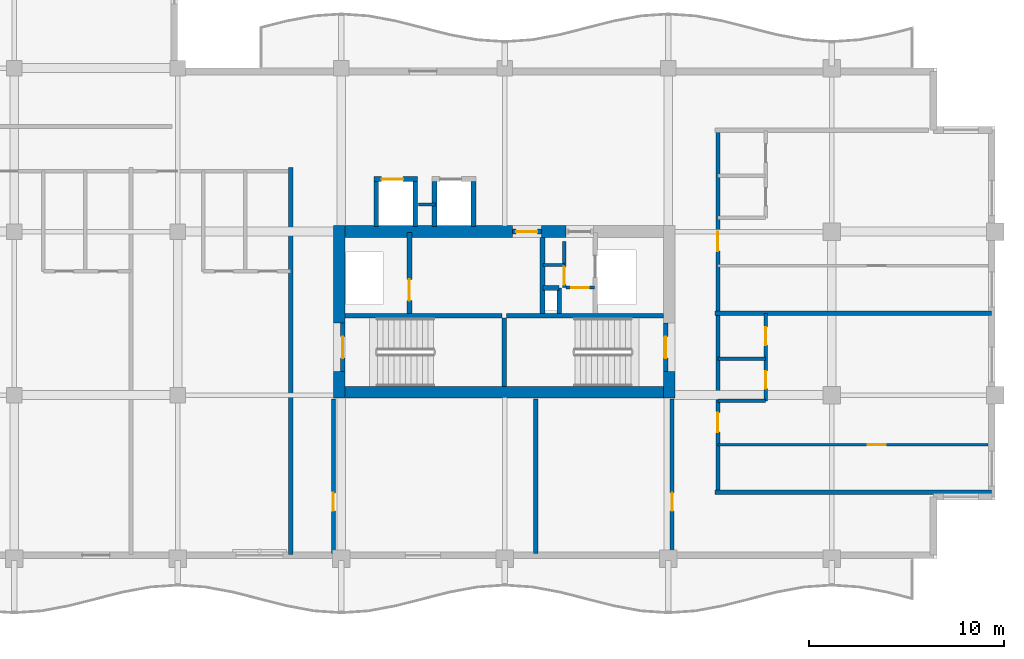
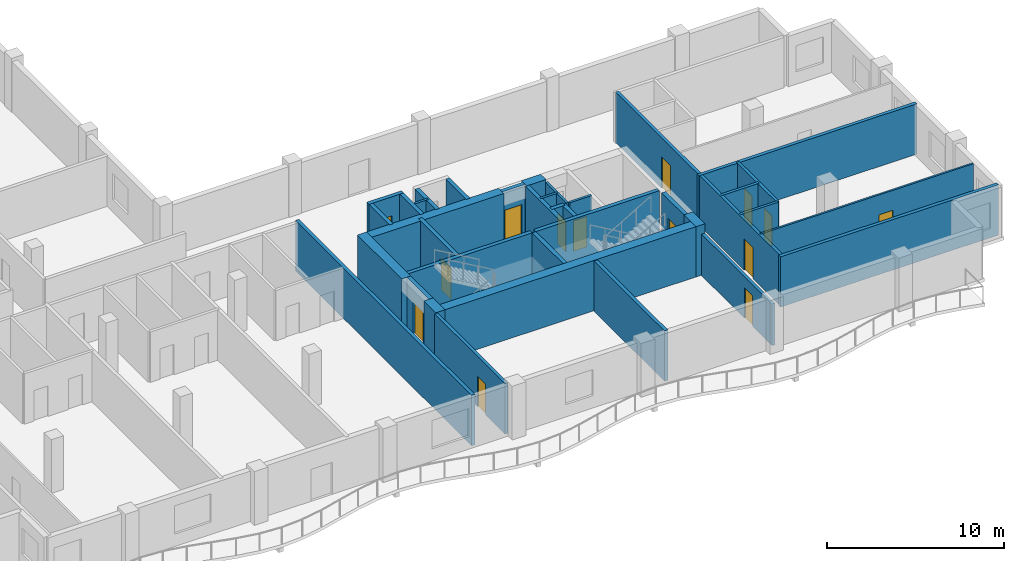
# One storey, part 7 of 16: 36 walls, 14 doors, 14 openings.
"""IFC4 building model written with IfcOpenShell, lengths in metres."""

from ifc_helpers import new_model, si_unit, direction, frame, frame_2d, origin, place, context, subcontext, project, spatial, rectangle, extrude, material, layer, layer_set, type_object, element, fill, save


model = new_model("IFC4")

# Units and contexts
model_context = context("Model", 3, precision=1e-05, world=origin(), true_north=direction((0.0, 1.0)))
body_context = subcontext(model_context, "Body", "Model", "MODEL_VIEW")
ifc_project = project(units=[si_unit("LENGTHUNIT", "METRE"), si_unit("AREAUNIT", "SQUARE_METRE"), si_unit("VOLUMEUNIT", "CUBIC_METRE"), si_unit("PLANEANGLEUNIT", "RADIAN"), si_unit("MASSUNIT", "GRAM", prefix="KILO")], contexts=[model_context])

# Site, building, storey
site_placement = place(None, origin())
site = spatial("IfcSite", under=ifc_project, at=site_placement, CompositionType="ELEMENT")
building_placement = place(site_placement, origin())
building = spatial("IfcBuilding", under=site, at=building_placement, Name="Koriwani Terraces Tower", CompositionType="ELEMENT")
storey_placement = place(building_placement, frame((0.0, 0.0, 252.699951171875)))
storey = spatial("IfcBuildingStorey", under=building, at=storey_placement, Name="L62", CompositionType="ELEMENT", Elevation=252.699951171875)

# Walls
ifc_material_1 = material(Name="Concrete C60/75", Category="concrete")
ifc_layer_1 = layer(ifc_material_1, 0.60009765625, Name="Concrete C60/75")
ifc_layer_set_1 = layer_set([ifc_layer_1], Name="Concrete C60/75")
wall_type_1 = type_object("IfcWallType", Name="WALL_CORE_RC_600", PredefinedType="SHEAR", material=ifc_layer_set_1)
wall_1_placement = place(storey_placement, frame((41.89990234375, 16.64990234375, 0.0), z_axis=(0.0, 0.0, 1.0), x_axis=(0.0, 1.0, 0.0)))
element("IfcWall", 1, at=wall_1_placement, inside=storey, type_object=wall_type_1, Name="L62 East Split Core Shear Wall W1", PredefinedType="SHEAR", context=body_context, shape_type="SweptSolid", body=[
    extrude(rectangle(XDim=1.35009765625, YDim=0.60009765625, at=frame_2d((0.675048828125, 0.0))), origin(), (0.0, 0.0, 1.0), 3.469970703125),
])
wall_2_placement = place(storey_placement, frame((41.89990234375, 20.5, 0.0), z_axis=(0.0, 0.0, 1.0), x_axis=(0.0, 1.0, 0.0)))
element("IfcWall", 2, at=wall_2_placement, inside=storey, type_object=wall_type_1, Name="L62 East Split Core Shear Wall W2", PredefinedType="SHEAR", context=body_context, shape_type="SweptSolid", body=[
    extrude(rectangle(XDim=5.0, YDim=0.60009765625, at=frame_2d((2.5, 0.0))), origin(), (0.0, 0.0, 1.0), 3.469970703125),
])
wall_3_placement = place(storey_placement, frame((58.85009765625, 16.64990234375, 0.0), z_axis=(0.0, 0.0, 1.0), x_axis=(0.0, 1.0, 0.0)))
element("IfcWall", 3, at=wall_3_placement, inside=storey, type_object=wall_type_1, Name="L62 East Split Core Shear Wall E1", PredefinedType="SHEAR", context=body_context, shape_type="SweptSolid", body=[
    extrude(rectangle(XDim=1.35009765625, YDim=0.60009765625, at=frame_2d((0.675048828125, 0.0))), origin(), (0.0, 0.0, 1.0), 3.469970703125),
])
wall_4_placement = place(storey_placement, frame((42.199951171875, 16.949951171875, 0.0), z_axis=(0.0, 0.0, 1.0), x_axis=(1.0, 0.0, 0.0)))
element("IfcWall", 4, at=wall_4_placement, inside=storey, type_object=wall_type_1, Name="L62 East Split Core Shear Wall S1", PredefinedType="SHEAR", context=body_context, shape_type="SweptSolid", body=[
    extrude(rectangle(XDim=16.35009765625, YDim=0.60009765625, at=frame_2d((8.175048828125, 0.0))), origin(), (0.0, 0.0, 1.0), 3.469970703125),
])
wall_5_placement = place(storey_placement, frame((42.199951171875, 25.199951171875, 0.0), z_axis=(0.0, 0.0, 1.0), x_axis=(1.0, 0.0, 0.0)))
element("IfcWall", 5, at=wall_5_placement, inside=storey, type_object=wall_type_1, Name="L62 East Split Core Shear Wall N1", PredefinedType="SHEAR", context=body_context, shape_type="SweptSolid", body=[
    extrude(rectangle(XDim=8.60009765625, YDim=0.60009765625, at=frame_2d((4.300048828125, 0.0))), origin(), (0.0, 0.0, 1.0), 3.469970703125),
])
wall_6_placement = place(storey_placement, frame((52.280029296875, 25.199951171875, 0.0), z_axis=(0.0, 0.0, 1.0), x_axis=(1.0, 0.0, 0.0)))
element("IfcWall", 6, at=wall_6_placement, inside=storey, type_object=wall_type_1, Name="L62 East Split Core Shear Wall N2", PredefinedType="SHEAR", context=body_context, shape_type="SweptSolid", body=[
    extrude(rectangle(XDim=1.27001953125, YDim=0.60009765625, at=frame_2d((0.635009765625, 0.0))), origin(), (0.0, 0.0, 1.0), 3.469970703125),
])

# Wall, opening, door
ifc_material_2 = material(Name="Autoclaved Cellular Concrete Blockwork", Category="masonry")
ifc_layer_2 = layer(ifc_material_2, 0.199951171875, Name="Autoclaved Cellular Concrete Blockwork")
ifc_layer_set_2 = layer_set([ifc_layer_2], Name="Autoclaved Cellular Concrete Blockwork")
wall_type_2 = type_object("IfcWallType", Name="WALL_CORRIDOR_200", PredefinedType="PARTITIONING", material=ifc_layer_set_2)
wall_7_placement = place(storey_placement, frame((41.60009765625, 8.64990234375, 0.0), z_axis=(0.0, 0.0, 1.0), x_axis=(0.0, 1.0, 0.0)))
wall_7 = element("IfcWall", 7, at=wall_7_placement, inside=storey, type_object=wall_type_2, Name="L62 Interior Wall WRZ4-EW-L62", PredefinedType="PARTITIONING", context=body_context, shape_type="SweptSolid", body=[
    extrude(rectangle(XDim=7.9501953125, YDim=0.199951171875, at=frame_2d((3.97509765625, 0.0))), origin(), (0.0, 0.0, 1.0), 3.469970703125),
])
opening_1_placement = place(wall_7_placement, frame((2.199951171875, 0.0, 0.0)))
opening_1 = element("IfcOpeningElement", 8, at=opening_1_placement, cuts=wall_7, Name="Opening D-06", PredefinedType="OPENING", context=body_context, shape_type="SweptSolid", body=[
    extrude(rectangle(XDim=0.919921875, YDim=2.10009765625, at=frame_2d((0.4599609375, 1.050048828125))), frame((0.0, 0.10986328125, 0.0), z_axis=(0.0, -1.0, 0.0), x_axis=(1.0, 0.0, 0.0)), (0.0, 0.0, 1.0), 0.219970703125),
])
ifc_material_3 = material(Name="Architectural Oak Fire Door", Category="wood")
door_type_1 = type_object("IfcDoorType", Name="DOOR_ROOM_INT_920X2100", OperationType="NOTDEFINED", PredefinedType="DOOR", material=ifc_material_3)
door_1_placement = place(opening_1_placement, origin())
door_1 = element("IfcDoor", 9, at=door_1_placement, inside=storey, type_object=door_type_1, Name="L62 Resident Library Study Door", OperationType="SINGLE_SWING_LEFT", OverallHeight=2.10009765625, OverallWidth=0.919921875, PredefinedType="DOOR", context=body_context, shape_type="SweptSolid", body=[
    extrude(rectangle(XDim=0.919921875, YDim=2.10009765625, at=frame_2d((0.4599609375, 1.050048828125))), frame((0.0, 0.02490234375, 0.0), z_axis=(0.0, -1.0, 0.0), x_axis=(1.0, 0.0, 0.0)), (0.0, 0.0, 1.0), 0.050048828125),
])
fill(opening_1, door_1)

wall_8_placement = place(storey_placement, frame((59.0, 8.64990234375, 0.0), z_axis=(0.0, 0.0, 1.0), x_axis=(0.0, 1.0, 0.0)))
wall_8 = element("IfcWall", 10, at=wall_8_placement, inside=storey, type_object=wall_type_2, Name="L62 Interior Wall WRZ4-EE-L62", PredefinedType="PARTITIONING", context=body_context, shape_type="SweptSolid", body=[
    extrude(rectangle(XDim=7.9501953125, YDim=0.199951171875, at=frame_2d((3.97509765625, 0.0))), origin(), (0.0, 0.0, 1.0), 2.859130859375),
])
opening_2_placement = place(wall_8_placement, frame((2.199951171875, 0.0, 0.0)))
opening_2 = element("IfcOpeningElement", 11, at=opening_2_placement, cuts=wall_8, Name="Opening D-06", PredefinedType="OPENING", context=body_context, shape_type="SweptSolid", body=[
    extrude(rectangle(XDim=0.919921875, YDim=2.10009765625, at=frame_2d((0.4599609375, 1.050048828125))), frame((0.0, 0.10986328125, 0.0), z_axis=(0.0, -1.0, 0.0), x_axis=(1.0, 0.0, 0.0)), (0.0, 0.0, 1.0), 0.219970703125),
])
door_2_placement = place(opening_2_placement, origin())
door_2 = element("IfcDoor", 12, at=door_2_placement, inside=storey, type_object=door_type_1, Name="L62 Resident Laundry Room Door", OperationType="SINGLE_SWING_RIGHT", OverallHeight=2.10009765625, OverallWidth=0.919921875, PredefinedType="DOOR", context=body_context, shape_type="SweptSolid", body=[
    extrude(rectangle(XDim=0.919921875, YDim=2.10009765625, at=frame_2d((0.4599609375, 1.050048828125))), frame((0.0, 0.02490234375, 0.0), z_axis=(0.0, -1.0, 0.0), x_axis=(1.0, 0.0, 0.0)), (0.0, 0.0, 1.0), 0.050048828125),
])
fill(opening_2, door_2)

# Wall, openings, doors
wall_9_placement = place(storey_placement, frame((61.35009765625, 11.800048828125, 0.0), z_axis=(0.0, 0.0, 1.0), x_axis=(0.0, 1.0, 0.0)))
wall_9 = element("IfcWall", 13, at=wall_9_placement, inside=storey, type_object=wall_type_2, Name="L62 Interior Wall WRCOR-L62-ETE-0", PredefinedType="PARTITIONING", context=body_context, shape_type="SweptSolid", body=[
    extrude(rectangle(XDim=18.599853515625, YDim=0.199951171875, at=frame_2d((9.2998046875, 0.0))), origin(), (0.0, 0.0, 1.0), 3.469970703125),
])
opening_3_placement = place(wall_9_placement, frame((3.094970703125, 0.0, 0.0)))
opening_3 = element("IfcOpeningElement", 14, at=opening_3_placement, cuts=wall_9, Name="Opening D-05", PredefinedType="OPENING", context=body_context, shape_type="SweptSolid", body=[
    extrude(rectangle(XDim=1.0, YDim=2.14990234375, at=frame_2d((0.5, 1.074951171875))), frame((0.0, 0.10986328125, 0.0), z_axis=(0.0, -1.0, 0.0), x_axis=(1.0, 0.0, 0.0)), (0.0, 0.0, 1.0), 0.219970703125),
])
opening_4_placement = place(wall_9_placement, frame((12.39501953125, 0.0, 0.0)))
opening_4 = element("IfcOpeningElement", 15, at=opening_4_placement, cuts=wall_9, Name="Opening D-05", PredefinedType="OPENING", context=body_context, shape_type="SweptSolid", body=[
    extrude(rectangle(XDim=1.0, YDim=2.14990234375, at=frame_2d((0.5, 1.074951171875))), frame((0.0, 0.10986328125, 0.0), z_axis=(0.0, -1.0, 0.0), x_axis=(1.0, 0.0, 0.0)), (0.0, 0.0, 1.0), 0.219970703125),
])
door_type_2 = type_object("IfcDoorType", Name="DOOR_SUITE_ENTRY_1000X2150", OperationType="NOTDEFINED", PredefinedType="DOOR", material=ifc_material_3)
door_3_placement = place(opening_3_placement, origin())
door_3 = element("IfcDoor", 16, at=door_3_placement, inside=storey, type_object=door_type_2, Name="Apartment 62ETE1 Entrance Door", OperationType="SINGLE_SWING_LEFT", OverallHeight=2.14990234375, OverallWidth=1.0, PredefinedType="DOOR", context=body_context, shape_type="SweptSolid", body=[
    extrude(rectangle(XDim=1.0, YDim=2.14990234375, at=frame_2d((0.5, 1.074951171875))), frame((0.0, 0.02490234375, 0.0), z_axis=(0.0, -1.0, 0.0), x_axis=(1.0, 0.0, 0.0)), (0.0, 0.0, 1.0), 0.050048828125),
])
fill(opening_3, door_3)
door_4_placement = place(opening_4_placement, origin())
door_4 = element("IfcDoor", 17, at=door_4_placement, inside=storey, type_object=door_type_2, Name="Apartment 62ETE2 Entrance Door", OperationType="SINGLE_SWING_LEFT", OverallHeight=2.14990234375, OverallWidth=1.0, PredefinedType="DOOR", context=body_context, shape_type="SweptSolid", body=[
    extrude(rectangle(XDim=1.0, YDim=2.14990234375, at=frame_2d((0.5, 1.074951171875))), frame((0.0, 0.02490234375, 0.0), z_axis=(0.0, -1.0, 0.0), x_axis=(1.0, 0.0, 0.0)), (0.0, 0.0, 1.0), 0.050048828125),
])
fill(opening_4, door_4)

# Walls
ifc_layer_3 = layer(ifc_material_2, 0.219970703125, Name="Autoclaved Cellular Concrete Blockwork")
ifc_layer_set_3 = layer_set([ifc_layer_3], Name="Autoclaved Cellular Concrete Blockwork")
wall_type_3 = type_object("IfcWallType", Name="WALL_DEMISING_220", PredefinedType="PARTITIONING", material=ifc_layer_set_3)
wall_10_placement = place(storey_placement, frame((52.0, 8.64990234375, 0.0), z_axis=(0.0, 0.0, 1.0), x_axis=(0.0, 1.0, 0.0)))
element("IfcWall", 18, at=wall_10_placement, inside=storey, type_object=wall_type_3, Name="L62 Interior Wall WRZ4-EM-L62", PredefinedType="PARTITIONING", context=body_context, shape_type="SweptSolid", body=[
    extrude(rectangle(XDim=7.9501953125, YDim=0.219970703125, at=frame_2d((3.97509765625, 0.0))), origin(), (0.0, 0.0, 1.0), 3.469970703125),
])
wall_11_placement = place(storey_placement, frame((39.39990234375, 8.60009765625, 0.0), z_axis=(0.0, 0.0, 1.0), x_axis=(0.0, 1.0, 0.0)))
element("IfcWall", 19, at=wall_11_placement, inside=storey, type_object=wall_type_3, Name="L62 Interior Wall WRDEME-L62-SW", PredefinedType="PARTITIONING", context=body_context, shape_type="SweptSolid", body=[
    extrude(rectangle(XDim=19.8798828125, YDim=0.219970703125, at=frame_2d((9.93994140625, 0.0))), origin(), (0.0, 0.0, 1.0), 3.469970703125),
])
for number, where, z_axis, x_axis, name in (
    (20, (61.199951171875, 11.800048828125, 0.0), (0.0, 0.0, 1.0), (1.0, 0.0, 0.0), "L62 Interior Wall WRDEM-L62-ETE-0"),
    (21, (61.199951171875, 21.0, 0.0), (0.0, 0.0, 1.0), (1.0, 0.0, 0.0), "L62 Interior Wall WRDEM-L62-ETE-1"),
):
    element("IfcWall", number, at=place(storey_placement, frame(where, z_axis=z_axis, x_axis=x_axis)), inside=storey, type_object=wall_type_3, Name=name, PredefinedType="PARTITIONING", context=body_context, shape_type="SweptSolid", body=[
        extrude(rectangle(XDim=14.199951171875, YDim=0.219970703125, at=frame_2d((7.10009765625, 0.0))), origin(), (0.0, 0.0, 1.0), 3.469970703125),
    ])

# Wall, opening, door
ifc_material_4 = material(Name="Fire-Rated Acoustic Gypsum Partition", Category="masonry")
ifc_layer_4 = layer(ifc_material_4, 0.125, Name="Fire-Rated Acoustic Gypsum Partition")
ifc_layer_set_4 = layer_set([ifc_layer_4], Name="Fire-Rated Acoustic Gypsum Partition")
wall_type_4 = type_object("IfcWallType", Name="WALL_INT_125", PredefinedType="PARTITIONING", material=ifc_layer_set_4)
wall_12_placement = place(storey_placement, frame((61.35009765625, 14.25, 0.0), z_axis=(0.0, 0.0, 1.0), x_axis=(1.0, 0.0, 0.0)))
wall_12 = element("IfcWall", 22, at=wall_12_placement, inside=storey, type_object=wall_type_4, Name="L62 Interior Wall WRBED1-L62-ETE-0", PredefinedType="PARTITIONING", context=body_context, shape_type="SweptSolid", body=[
    extrude(rectangle(XDim=13.869873046875, YDim=0.125, at=frame_2d((6.93505859375, 0.0))), origin(), (0.0, 0.0, 1.0), 3.469970703125),
])
opening_5_placement = place(wall_12_placement, frame((7.699951171875, 0.0, 0.0)))
opening_5 = element("IfcOpeningElement", 23, at=opening_5_placement, cuts=wall_12, Name="Opening D-06", PredefinedType="OPENING", context=body_context, shape_type="SweptSolid", body=[
    extrude(rectangle(XDim=0.919921875, YDim=2.10009765625, at=frame_2d((0.4599609375, 1.050048828125))), frame((0.0, 0.072509765625, 0.0), z_axis=(0.0, -1.0, 0.0), x_axis=(1.0, 0.0, 0.0)), (0.0, 0.0, 1.0), 0.14501953125),
])
door_5_placement = place(opening_5_placement, origin())
door_5 = element("IfcDoor", 24, at=door_5_placement, inside=storey, type_object=door_type_1, Name="Apartment 62ETE1 Master Bedroom Door", OperationType="SINGLE_SWING_RIGHT", OverallHeight=2.10009765625, OverallWidth=0.919921875, PredefinedType="DOOR", context=body_context, shape_type="SweptSolid", body=[
    extrude(rectangle(XDim=0.919921875, YDim=2.10009765625, at=frame_2d((0.4599609375, 1.050048828125))), frame((0.0, 0.02490234375, 0.0), z_axis=(0.0, -1.0, 0.0), x_axis=(1.0, 0.0, 0.0)), (0.0, 0.0, 1.0), 0.050048828125),
])
fill(opening_5, door_5)

# Wall, openings, doors
ifc_layer_5 = layer(ifc_material_4, 0.179931640625, Name="Fire-Rated Acoustic Gypsum Partition")
ifc_layer_set_5 = layer_set([ifc_layer_5], Name="Fire-Rated Acoustic Gypsum Partition")
wall_type_5 = type_object("IfcWallType", Name="WALL_PLUMBING_180", PredefinedType="PLUMBINGWALL", material=ifc_layer_set_5)
wall_13_placement = place(storey_placement, frame((63.800048828125, 16.5, 0.0), z_axis=(0.0, 0.0, 1.0), x_axis=(0.0, 1.0, 0.0)))
wall_13 = element("IfcWall", 25, at=wall_13_placement, inside=storey, type_object=wall_type_5, Name="L62 Interior Wall WRSVC-L62-ETE-0", PredefinedType="PLUMBINGWALL", context=body_context, shape_type="SweptSolid", body=[
    extrude(rectangle(XDim=4.5, YDim=0.179931640625, at=frame_2d((2.25, 0.0))), origin(), (0.0, 0.0, 1.0), 3.469970703125),
])
opening_6_placement = place(wall_13_placement, frame((0.6298828125, 0.0, 0.0)))
opening_6 = element("IfcOpeningElement", 26, at=opening_6_placement, cuts=wall_13, Name="Opening D-07", PredefinedType="OPENING", context=body_context, shape_type="SweptSolid", body=[
    extrude(rectangle(XDim=0.89990234375, YDim=2.10009765625, at=frame_2d((0.449951171875, 1.050048828125))), frame((0.0, 0.10009765625, 0.0), z_axis=(0.0, -1.0, 0.0), x_axis=(1.0, 0.0, 0.0)), (0.0, 0.0, 1.0), 0.199951171875),
])
opening_7_placement = place(wall_13_placement, frame((2.8701171875, 0.0, 0.0)))
opening_7 = element("IfcOpeningElement", 27, at=opening_7_placement, cuts=wall_13, Name="Opening D-06", PredefinedType="OPENING", context=body_context, shape_type="SweptSolid", body=[
    extrude(rectangle(XDim=0.919921875, YDim=2.10009765625, at=frame_2d((0.4599609375, 1.050048828125))), frame((0.0, 0.10009765625, 0.0), z_axis=(0.0, -1.0, 0.0), x_axis=(1.0, 0.0, 0.0)), (0.0, 0.0, 1.0), 0.199951171875),
])
door_type_3 = type_object("IfcDoorType", Name="DOOR_BATH_INT_900X2100", OperationType="NOTDEFINED", PredefinedType="DOOR", material=ifc_material_3)
door_6_placement = place(opening_6_placement, origin())
door_6 = element("IfcDoor", 28, at=door_6_placement, inside=storey, type_object=door_type_3, Name="Apartment 62ETE1 Bathroom Door", OperationType="SINGLE_SWING_RIGHT", OverallHeight=2.10009765625, OverallWidth=0.89990234375, PredefinedType="DOOR", context=body_context, shape_type="SweptSolid", body=[
    extrude(rectangle(XDim=0.89990234375, YDim=2.10009765625, at=frame_2d((0.449951171875, 1.050048828125))), frame((0.0, 0.02490234375, 0.0), z_axis=(0.0, -1.0, 0.0), x_axis=(1.0, 0.0, 0.0)), (0.0, 0.0, 1.0), 0.050048828125),
])
fill(opening_6, door_6)
door_7_placement = place(opening_7_placement, origin())
door_7 = element("IfcDoor", 29, at=door_7_placement, inside=storey, type_object=door_type_1, Name="Apartment 62ETE1 Kitchen Door", OperationType="SINGLE_SWING_LEFT", OverallHeight=2.10009765625, OverallWidth=0.919921875, PredefinedType="DOOR", context=body_context, shape_type="SweptSolid", body=[
    extrude(rectangle(XDim=0.919921875, YDim=2.10009765625, at=frame_2d((0.4599609375, 1.050048828125))), frame((0.0, 0.02490234375, 0.0), z_axis=(0.0, -1.0, 0.0), x_axis=(1.0, 0.0, 0.0)), (0.0, 0.0, 1.0), 0.050048828125),
])
fill(opening_7, door_7)

# Walls
for number, where, z_axis, x_axis, name in (
    (30, (61.35009765625, 16.5, 0.0), (0.0, 0.0, 1.0), (1.0, 0.0, 0.0), "L62 Interior Wall WRSVCS-L62-ETE-0"),
    (31, (61.35009765625, 18.659912109375, 0.0), (0.0, 0.0, 1.0), (1.0, 0.0, 0.0), "L62 Interior Wall WRSVCM-L62-ETE-0"),
):
    element("IfcWall", number, at=place(storey_placement, frame(where, z_axis=z_axis, x_axis=x_axis)), inside=storey, type_object=wall_type_5, Name=name, PredefinedType="PLUMBINGWALL", context=body_context, shape_type="SweptSolid", body=[
        extrude(rectangle(XDim=2.449951171875, YDim=0.179931640625, at=frame_2d((1.22509765625, 0.0))), origin(), (0.0, 0.0, 1.0), 3.469970703125),
    ])
ifc_material_5 = material(Name="Concrete C40/50", Category="concrete")
ifc_layer_6 = layer(ifc_material_5, 0.25, Name="Concrete C40/50")
ifc_layer_set_6 = layer_set([ifc_layer_6], Name="Concrete C40/50")
wall_type_6 = type_object("IfcWallType", Name="WALL_SHAFT_RATED_250", PredefinedType="SOLIDWALL", material=ifc_layer_set_6)
for number, where, z_axis, x_axis, name in (
    (32, (42.199951171875, 20.875, 0.0), (0.0, 0.0, 1.0), (1.0, 0.0, 0.0), "L62 East Split Core Web Wall MID1"),
    (33, (50.5, 20.875, 0.0), (0.0, 0.0, 1.0), (1.0, 0.0, 0.0), "L62 East Split Core Web Wall MID2"),
):
    element("IfcWall", number, at=place(storey_placement, frame(where, z_axis=z_axis, x_axis=x_axis)), inside=storey, type_object=wall_type_6, Name=name, PredefinedType="SOLIDWALL", context=body_context, shape_type="SweptSolid", body=[
        extrude(rectangle(XDim=8.050048828125, YDim=0.25, at=frame_2d((4.02490234375, 0.0))), origin(), (0.0, 0.0, 1.0), 3.469970703125),
    ])
wall_14_placement = place(storey_placement, frame((50.375, 17.25, 0.0), z_axis=(0.0, 0.0, 1.0), x_axis=(0.0, 1.0, 0.0)))
element("IfcWall", 34, at=wall_14_placement, inside=storey, type_object=wall_type_6, Name="L62 East Split Core Stair Dividing Wall", PredefinedType="SOLIDWALL", context=body_context, shape_type="SweptSolid", body=[
    extrude(rectangle(XDim=3.5, YDim=0.25, at=frame_2d((1.75, 0.0))), origin(), (0.0, 0.0, 1.0), 3.469970703125),
])

# Wall, opening, door
wall_15_placement = place(storey_placement, frame((42.074951171875, 18.0, 0.0), z_axis=(0.0, 0.0, 1.0), x_axis=(0.0, 1.0, 0.0)))
wall_15 = element("IfcWall", 35, at=wall_15_placement, inside=storey, type_object=wall_type_6, Name="L62 Interior Wall WIN-CE-L62-STW", PredefinedType="SOLIDWALL", context=body_context, shape_type="SweptSolid", body=[
    extrude(rectangle(XDim=2.5, YDim=0.25, at=frame_2d((1.25, 0.0))), origin(), (0.0, 0.0, 1.0), 3.469970703125),
])
opening_8_placement = place(wall_15_placement, frame((0.699951171875, 0.0, 0.0)))
opening_8 = element("IfcOpeningElement", 36, at=opening_8_placement, cuts=wall_15, Name="Opening D-03", PredefinedType="OPENING", context=body_context, shape_type="SweptSolid", body=[
    extrude(rectangle(XDim=1.10009765625, YDim=2.14990234375, at=frame_2d((0.550048828125, 1.074951171875))), frame((0.0, 0.135009765625, 0.0), z_axis=(0.0, -1.0, 0.0), x_axis=(1.0, 0.0, 0.0)), (0.0, 0.0, 1.0), 0.27001953125),
])
ifc_material_6 = material(Name="Steel ASTM A572 Grade 50", Category="steel")
door_type_4 = type_object("IfcDoorType", Name="DOOR_STAIR_FIRE_1100X2150", OperationType="NOTDEFINED", PredefinedType="DOOR", material=ifc_material_6)
door_8_placement = place(opening_8_placement, origin())
door_8 = element("IfcDoor", 37, at=door_8_placement, inside=storey, type_object=door_type_4, Name="L62 Exit Stair ST-E1 Door", OperationType="SINGLE_SWING_LEFT", OverallHeight=2.14990234375, OverallWidth=1.10009765625, PredefinedType="DOOR", context=body_context, shape_type="SweptSolid", body=[
    extrude(rectangle(XDim=1.10009765625, YDim=2.14990234375, at=frame_2d((0.550048828125, 1.074951171875))), frame((0.0, 0.02490234375, 0.0), z_axis=(0.0, -1.0, 0.0), x_axis=(1.0, 0.0, 0.0)), (0.0, 0.0, 1.0), 0.050048828125),
])
fill(opening_8, door_8)

wall_16_placement = place(storey_placement, frame((58.675048828125, 18.0, 0.0), z_axis=(0.0, 0.0, 1.0), x_axis=(0.0, 1.0, 0.0)))
wall_16 = element("IfcWall", 38, at=wall_16_placement, inside=storey, type_object=wall_type_6, Name="L62 Interior Wall WIN-CE-L62-STE", PredefinedType="SOLIDWALL", context=body_context, shape_type="SweptSolid", body=[
    extrude(rectangle(XDim=2.5, YDim=0.25, at=frame_2d((1.25, 0.0))), origin(), (0.0, 0.0, 1.0), 3.469970703125),
])
opening_9_placement = place(wall_16_placement, frame((0.699951171875, 0.0, 0.0)))
opening_9 = element("IfcOpeningElement", 39, at=opening_9_placement, cuts=wall_16, Name="Opening D-03", PredefinedType="OPENING", context=body_context, shape_type="SweptSolid", body=[
    extrude(rectangle(XDim=1.10009765625, YDim=2.14990234375, at=frame_2d((0.550048828125, 1.074951171875))), frame((0.0, 0.135009765625, 0.0), z_axis=(0.0, -1.0, 0.0), x_axis=(1.0, 0.0, 0.0)), (0.0, 0.0, 1.0), 0.27001953125),
])
door_9_placement = place(opening_9_placement, origin())
door_9 = element("IfcDoor", 40, at=door_9_placement, inside=storey, type_object=door_type_4, Name="L62 Exit Stair ST-E2 Door", OperationType="SINGLE_SWING_RIGHT", OverallHeight=2.14990234375, OverallWidth=1.10009765625, PredefinedType="DOOR", context=body_context, shape_type="SweptSolid", body=[
    extrude(rectangle(XDim=1.10009765625, YDim=2.14990234375, at=frame_2d((0.550048828125, 1.074951171875))), frame((0.0, 0.02490234375, 0.0), z_axis=(0.0, -1.0, 0.0), x_axis=(1.0, 0.0, 0.0)), (0.0, 0.0, 1.0), 0.050048828125),
])
fill(opening_9, door_9)

wall_17_placement = place(storey_placement, frame((45.5, 21.0, 0.0), z_axis=(0.0, 0.0, 1.0), x_axis=(0.0, 1.0, 0.0)))
wall_17 = element("IfcWall", 41, at=wall_17_placement, inside=storey, type_object=wall_type_6, Name="L62 Interior Wall WIN-CE-L62-FE", PredefinedType="SOLIDWALL", context=body_context, shape_type="SweptSolid", body=[
    extrude(rectangle(XDim=4.14990234375, YDim=0.25, at=frame_2d((2.074951171875, 0.0))), origin(), (0.0, 0.0, 1.0), 3.469970703125),
])
opening_10_placement = place(wall_17_placement, frame((0.64990234375, 0.0, 0.0)))
opening_10 = element("IfcOpeningElement", 42, at=opening_10_placement, cuts=wall_17, Name="Opening LD-01", PredefinedType="OPENING", context=body_context, shape_type="SweptSolid", body=[
    extrude(rectangle(XDim=1.10009765625, YDim=2.14990234375, at=frame_2d((0.550048828125, 1.074951171875))), frame((0.0, 0.135009765625, 0.0), z_axis=(0.0, -1.0, 0.0), x_axis=(1.0, 0.0, 0.0)), (0.0, 0.0, 1.0), 0.27001953125),
])
door_type_5 = type_object("IfcDoorType", Name="DOOR_LIFT_LANDING_1100X2200", OperationType="NOTDEFINED", PredefinedType="DOOR", material=ifc_material_6)
door_10_placement = place(opening_10_placement, origin())
door_10 = element("IfcDoor", 43, at=door_10_placement, inside=storey, type_object=door_type_5, Name="L62 Firefighting Lift FE-02 Landing Door", OperationType="SLIDING_TO_LEFT", OverallHeight=2.14990234375, OverallWidth=1.10009765625, PredefinedType="DOOR", context=body_context, shape_type="SweptSolid", body=[
    extrude(rectangle(XDim=1.10009765625, YDim=2.14990234375, at=frame_2d((0.550048828125, 1.074951171875))), frame((0.0, 0.02490234375, 0.0), z_axis=(0.0, -1.0, 0.0), x_axis=(1.0, 0.0, 0.0)), (0.0, 0.0, 1.0), 0.050048828125),
])
fill(opening_10, door_10)

wall_18_placement = place(storey_placement, frame((50.800048828125, 25.199951171875, 0.0), z_axis=(0.0, 0.0, 1.0), x_axis=(1.0, 0.0, 0.0)))
wall_18 = element("IfcWall", 44, at=wall_18_placement, inside=storey, type_object=wall_type_6, Name="L62 Interior Wall WIN-CE-L62-NP", PredefinedType="SOLIDWALL", context=body_context, shape_type="SweptSolid", body=[
    extrude(rectangle(XDim=1.47998046875, YDim=0.25, at=frame_2d((0.739990234375, 0.0))), origin(), (0.0, 0.0, 1.0), 3.469970703125),
])
opening_11_placement = place(wall_18_placement, frame((0.179931640625, 0.0, 0.0)))
opening_11 = element("IfcOpeningElement", 45, at=opening_11_placement, cuts=wall_18, Name="Opening D-03", PredefinedType="OPENING", context=body_context, shape_type="SweptSolid", body=[
    extrude(rectangle(XDim=1.10009765625, YDim=2.14990234375, at=frame_2d((0.550048828125, 1.074951171875))), frame((0.0, 0.135009765625, 0.0), z_axis=(0.0, -1.0, 0.0), x_axis=(1.0, 0.0, 0.0)), (0.0, 0.0, 1.0), 0.27001953125),
])
door_11_placement = place(opening_11_placement, origin())
door_11 = element("IfcDoor", 46, at=door_11_placement, inside=storey, type_object=door_type_4, Name="L62 East Firefighting Lobby Door", OperationType="SINGLE_SWING_LEFT", OverallHeight=2.14990234375, OverallWidth=1.10009765625, PredefinedType="DOOR", context=body_context, shape_type="SweptSolid", body=[
    extrude(rectangle(XDim=1.10009765625, YDim=2.14990234375, at=frame_2d((0.550048828125, 1.074951171875))), frame((0.0, 0.02490234375, 0.0), z_axis=(0.0, -1.0, 0.0), x_axis=(1.0, 0.0, 0.0)), (0.0, 0.0, 1.0), 0.050048828125),
])
fill(opening_11, door_11)

# Walls
wall_19_placement = place(storey_placement, frame((52.340087890625, 21.0, 0.0), z_axis=(0.0, 0.0, 1.0), x_axis=(0.0, 1.0, 0.0)))
element("IfcWall", 47, at=wall_19_placement, inside=storey, type_object=wall_type_6, Name="L62 Interior Wall WIN-CE-L62-FFE", PredefinedType="SOLIDWALL", context=body_context, shape_type="SweptSolid", body=[
    extrude(rectangle(XDim=3.89990234375, YDim=0.25, at=frame_2d((1.949951171875, 0.0))), origin(), (0.0, 0.0, 1.0), 3.469970703125),
])
wall_20_placement = place(storey_placement, frame((53.199951171875, 21.0, 0.0), z_axis=(0.0, 0.0, 1.0), x_axis=(0.0, 1.0, 0.0)))
element("IfcWall", 48, at=wall_20_placement, inside=storey, type_object=wall_type_6, Name="L62 Interior Wall WIN-CE-L62-RS1", PredefinedType="SOLIDWALL", context=body_context, shape_type="SweptSolid", body=[
    extrude(rectangle(XDim=1.300048828125, YDim=0.25, at=frame_2d((0.64990234375, 0.0))), origin(), (0.0, 0.0, 1.0), 3.469970703125),
])
wall_21_placement = place(storey_placement, frame((52.360107421875, 22.300048828125, 0.0), z_axis=(0.0, 0.0, 1.0), x_axis=(1.0, 0.0, 0.0)))
element("IfcWall", 49, at=wall_21_placement, inside=storey, type_object=wall_type_6, Name="L62 Interior Wall WIN-CE-L62-RS2", PredefinedType="SOLIDWALL", context=body_context, shape_type="SweptSolid", body=[
    extrude(rectangle(XDim=0.83984375, YDim=0.25, at=frame_2d((0.419921875, 0.0))), origin(), (0.0, 0.0, 1.0), 3.469970703125),
])

# Wall, opening, door
wall_22_placement = place(storey_placement, frame((43.675048828125, 27.89990234375, 0.0), z_axis=(0.0, 0.0, 1.0), x_axis=(1.0, 0.0, 0.0)))
wall_22 = element("IfcWall", 50, at=wall_22_placement, inside=storey, type_object=wall_type_6, Name="L62 Interior Wall WIN-LF-PE-H3-L62-F", PredefinedType="SOLIDWALL", context=body_context, shape_type="SweptSolid", body=[
    extrude(rectangle(XDim=2.25, YDim=0.25, at=frame_2d((1.125, 0.0))), origin(), (0.0, 0.0, 1.0), 3.469970703125),
])
opening_12_placement = place(wall_22_placement, frame((0.39990234375, 0.0, 0.0)))
opening_12 = element("IfcOpeningElement", 51, at=opening_12_placement, cuts=wall_22, Name="Opening LD-01", PredefinedType="OPENING", context=body_context, shape_type="SweptSolid", body=[
    extrude(rectangle(XDim=1.10009765625, YDim=2.14990234375, at=frame_2d((0.550048828125, 1.074951171875))), frame((0.0, 0.135009765625, 0.0), z_axis=(0.0, -1.0, 0.0), x_axis=(1.0, 0.0, 0.0)), (0.0, 0.0, 1.0), 0.27001953125),
])
door_12_placement = place(opening_12_placement, origin())
door_12 = element("IfcDoor", 52, at=door_12_placement, inside=storey, type_object=door_type_5, Name="L62 Passenger Lift PE-H3 Landing Door", OperationType="SLIDING_TO_LEFT", OverallHeight=2.14990234375, OverallWidth=1.10009765625, PredefinedType="DOOR", context=body_context, shape_type="SweptSolid", body=[
    extrude(rectangle(XDim=1.10009765625, YDim=2.14990234375, at=frame_2d((0.550048828125, 1.074951171875))), frame((0.0, 0.02490234375, 0.0), z_axis=(0.0, -1.0, 0.0), x_axis=(1.0, 0.0, 0.0)), (0.0, 0.0, 1.0), 0.050048828125),
])
fill(opening_12, door_12)

# Walls
for number, where, z_axis, x_axis, name in (
    (53, (43.800048828125, 25.449951171875, 0.0), (0.0, 0.0, 1.0), (0.0, 1.0, 0.0), "L62 Interior Wall WIN-LF-PE-H3-L62-W"),
    (54, (45.800048828125, 25.449951171875, 0.0), (0.0, 0.0, 1.0), (0.0, 1.0, 0.0), "L62 Interior Wall WIN-LF-PE-H3-L62-E"),
    (55, (46.800048828125, 25.449951171875, 0.0), (0.0, 0.0, 1.0), (0.0, 1.0, 0.0), "L62 Interior Wall WIN-LF-PE-H4-L62-W"),
    (56, (48.800048828125, 25.449951171875, 0.0), (0.0, 0.0, 1.0), (0.0, 1.0, 0.0), "L62 Interior Wall WIN-LF-PE-H4-L62-E"),
):
    element("IfcWall", number, at=place(storey_placement, frame(where, z_axis=z_axis, x_axis=x_axis)), inside=storey, type_object=wall_type_6, Name=name, PredefinedType="SOLIDWALL", context=body_context, shape_type="SweptSolid", body=[
        extrude(rectangle(XDim=2.324951171875, YDim=0.25, at=frame_2d((1.16259765625, 0.0))), origin(), (0.0, 0.0, 1.0), 3.469970703125),
    ])

# Wall, opening, door
ifc_layer_7 = layer(ifc_material_4, 0.159912109375, Name="Fire-Rated Acoustic Gypsum Partition")
ifc_layer_set_7 = layer_set([ifc_layer_7], Name="Fire-Rated Acoustic Gypsum Partition")
wall_type_7 = type_object("IfcWallType", Name="WALL_SUITE_160", PredefinedType="PARTITIONING", material=ifc_layer_set_7)
wall_23_placement = place(storey_placement, frame((53.56005859375, 22.320068359375, 0.0), z_axis=(0.0, 0.0, 1.0), x_axis=(1.0, 0.0, 0.0)))
wall_23 = element("IfcWall", 57, at=wall_23_placement, inside=storey, type_object=wall_type_7, Name="L62 Interior Wall WIN-CE-L62-SV2A", PredefinedType="PARTITIONING", context=body_context, shape_type="SweptSolid", body=[
    extrude(rectangle(XDim=1.43994140625, YDim=0.159912109375, at=frame_2d((0.719970703125, 0.0))), origin(), (0.0, 0.0, 1.0), 3.469970703125),
])
opening_13_placement = place(wall_23_placement, frame((0.260009765625, 0.0, 0.0)))
opening_13 = element("IfcOpeningElement", 58, at=opening_13_placement, cuts=wall_23, Name="Opening D-07", PredefinedType="OPENING", context=body_context, shape_type="SweptSolid", body=[
    extrude(rectangle(XDim=0.89990234375, YDim=2.10009765625, at=frame_2d((0.449951171875, 1.050048828125))), frame((0.0, 0.08984375, 0.0), z_axis=(0.0, -1.0, 0.0), x_axis=(1.0, 0.0, 0.0)), (0.0, 0.0, 1.0), 0.179931640625),
])
door_13_placement = place(opening_13_placement, origin())
door_13 = element("IfcDoor", 59, at=door_13_placement, inside=storey, type_object=door_type_3, Name="L62 East Meter Room Door", OperationType="SINGLE_SWING_LEFT", OverallHeight=2.10009765625, OverallWidth=0.89990234375, PredefinedType="DOOR", context=body_context, shape_type="SweptSolid", body=[
    extrude(rectangle(XDim=0.89990234375, YDim=2.10009765625, at=frame_2d((0.449951171875, 1.050048828125))), frame((0.0, 0.02490234375, 0.0), z_axis=(0.0, -1.0, 0.0), x_axis=(1.0, 0.0, 0.0)), (0.0, 0.0, 1.0), 0.050048828125),
])
fill(opening_13, door_13)

wall_24_placement = place(storey_placement, frame((53.4599609375, 22.320068359375, 0.0), z_axis=(0.0, 0.0, 1.0), x_axis=(0.0, 1.0, 0.0)))
wall_24 = element("IfcWall", 60, at=wall_24_placement, inside=storey, type_object=wall_type_7, Name="L62 Interior Wall WIN-CE-L62-SV2H", PredefinedType="PARTITIONING", context=body_context, shape_type="SweptSolid", body=[
    extrude(rectangle(XDim=2.35986328125, YDim=0.159912109375, at=frame_2d((1.179931640625, 0.0))), origin(), (0.0, 0.0, 1.0), 3.469970703125),
])
opening_14_placement = place(wall_24_placement, frame((0.159912109375, 0.0, 0.0)))
opening_14 = element("IfcOpeningElement", 61, at=opening_14_placement, cuts=wall_24, Name="Opening D-07", PredefinedType="OPENING", context=body_context, shape_type="SweptSolid", body=[
    extrude(rectangle(XDim=0.89990234375, YDim=2.10009765625, at=frame_2d((0.449951171875, 1.050048828125))), frame((0.0, 0.08984375, 0.0), z_axis=(0.0, -1.0, 0.0), x_axis=(1.0, 0.0, 0.0)), (0.0, 0.0, 1.0), 0.179931640625),
])
door_14_placement = place(opening_14_placement, origin())
door_14 = element("IfcDoor", 62, at=door_14_placement, inside=storey, type_object=door_type_3, Name="L62 East Valve Room Door", OperationType="SINGLE_SWING_RIGHT", OverallHeight=2.10009765625, OverallWidth=0.89990234375, PredefinedType="DOOR", context=body_context, shape_type="SweptSolid", body=[
    extrude(rectangle(XDim=0.89990234375, YDim=2.10009765625, at=frame_2d((0.449951171875, 1.050048828125))), frame((0.0, 0.02490234375, 0.0), z_axis=(0.0, -1.0, 0.0), x_axis=(1.0, 0.0, 0.0)), (0.0, 0.0, 1.0), 0.050048828125),
])
fill(opening_14, door_14)

# Walls
wall_25_placement = place(storey_placement, frame((52.360107421875, 23.47998046875, 0.0), z_axis=(0.0, 0.0, 1.0), x_axis=(1.0, 0.0, 0.0)))
element("IfcWall", 63, at=wall_25_placement, inside=storey, type_object=wall_type_7, Name="L62 Interior Wall WIN-CE-L62-SV2V", PredefinedType="PARTITIONING", context=body_context, shape_type="SweptSolid", body=[
    extrude(rectangle(XDim=1.099853515625, YDim=0.159912109375, at=frame_2d((0.5498046875, 0.0))), origin(), (0.0, 0.0, 1.0), 3.469970703125),
])
wall_26_placement = place(storey_placement, frame((45.9599609375, 26.60009765625, 0.0), z_axis=(0.0, 0.0, 1.0), x_axis=(1.0, 0.0, 0.0)))
element("IfcWall", 64, at=wall_26_placement, inside=storey, type_object=wall_type_7, Name="L62 Interior Wall WIN-LF-PEH34-MID-L62", PredefinedType="PARTITIONING", context=body_context, shape_type="SweptSolid", body=[
    extrude(rectangle(XDim=0.880126953125, YDim=0.159912109375, at=frame_2d((0.43994140625, 0.0))), origin(), (0.0, 0.0, 1.0), 3.469970703125),
])

save(model, "model.ifc")
